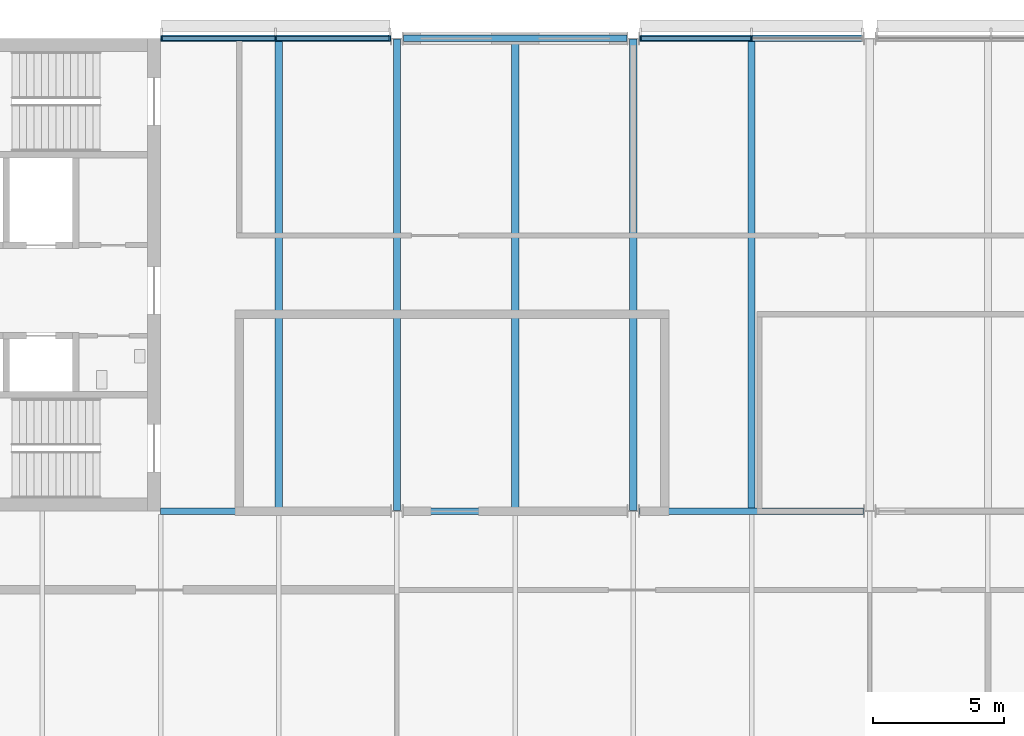
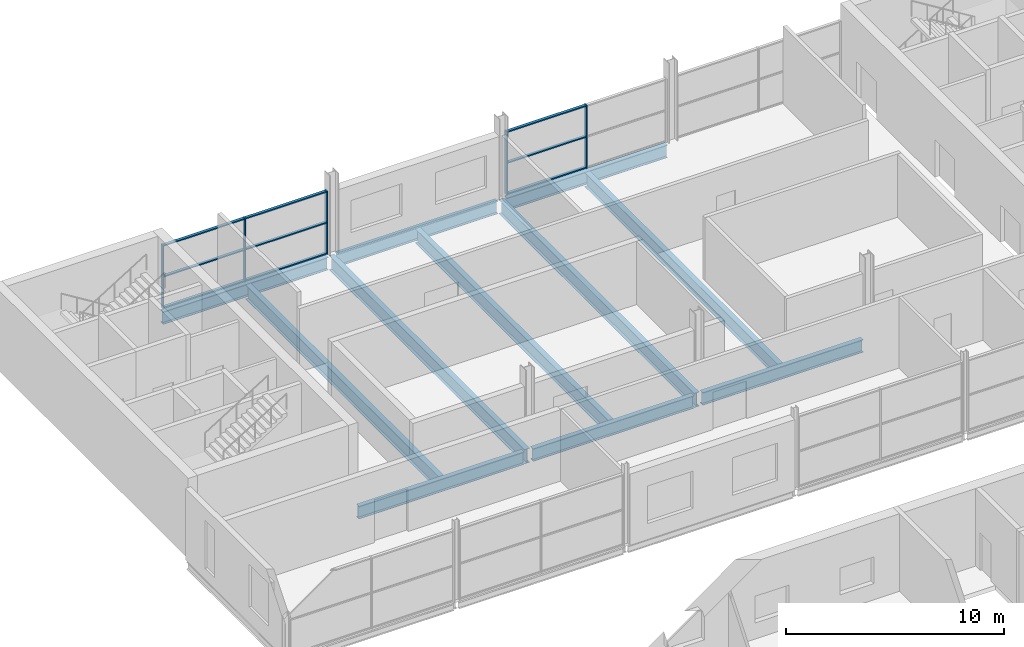
# One storey, part 64 of 138: 14 members, 11 beams, 2 elements without a shape of their own.
"""IFC4 building model written with IfcOpenShell, lengths in metres."""

from ifc_helpers import new_model, si_unit, direction, frame, origin, origin_2d, place, context, subcontext, project, spatial, rectangle, i_section, extrude, material, layer, layer_set, material_profile, profile_set, type_object, element, aggregate, save


model = new_model("IFC4")

# Units and contexts
model_context = context("Model", 3, precision=1e-05, world=origin(), true_north=direction((0.0, 1.0)))
body_context = subcontext(model_context, "Body", "Model", "MODEL_VIEW")
ifc_project = project(units=[si_unit("LENGTHUNIT", "METRE"), si_unit("AREAUNIT", "SQUARE_METRE"), si_unit("VOLUMEUNIT", "CUBIC_METRE"), si_unit("PLANEANGLEUNIT", "RADIAN"), si_unit("MASSUNIT", "GRAM", prefix="KILO")], contexts=[model_context])

# Site, building, storey
site_placement = place(None, origin())
site = spatial("IfcSite", under=ifc_project, at=site_placement, CompositionType="ELEMENT")
building_placement = place(site_placement, origin())
building = spatial("IfcBuilding", under=site, at=building_placement, Name="Corbel Yard City Hall", CompositionType="ELEMENT")
storey_placement = place(building_placement, frame((0.0, 0.0, 10.5)))
storey = spatial("IfcBuildingStorey", under=building, at=storey_placement, Name="L02", CompositionType="ELEMENT", Elevation=10.5)

# Beams
ifc_material_1 = material(Name="Steel Grade 350", Category="steel")
ifc_material_profile_1 = material_profile(ifc_material_1, i_section(OverallWidth=0.25, OverallDepth=0.7099609375, WebThickness=0.010009765625, FlangeThickness=0.02490234375, at=origin_2d()), Name="700WB150")
ifc_profile_set_1 = profile_set([ifc_material_profile_1], Name="Steel Grade 350")
beam_type_1 = type_object("IfcBeamType", Name="Edge beam 700WB150", PredefinedType="BEAM", material=ifc_profile_set_1)
beam_1_placement = place(storey_placement, frame((9.0, 117.0, -0.5048828125), z_axis=(1.0, 0.0, 0.0), x_axis=(0.0, 1.0, 0.0)))
element("IfcBeam", 1, at=beam_1_placement, inside=storey, type_object=beam_type_1, Name="Edge beam 700WB150 EB5 L02floor", PredefinedType="BEAM", context=body_context, shape_type="SweptSolid", body=[
    extrude(i_section(OverallWidth=0.25, OverallDepth=0.7099609375, WebThickness=0.010009765625, FlangeThickness=0.02490234375, at=origin_2d()), origin(), (0.0, 0.0, 1.0), 8.760009765625),
])
for number, where, z_axis, x_axis, name in (
    (2, (18.239990234375, 117.0, -0.5048828125), (1.0, 0.0, 0.0), (0.0, 1.0, 0.0), "Edge beam 700WB150 EB5 L02floor"),
    (3, (27.239990234375, 117.0, -0.5048828125), (1.0, 0.0, 0.0), (0.0, 1.0, 0.0), "Edge beam 700WB150 EB5 L02floor"),
):
    element("IfcBeam", number, at=place(storey_placement, frame(where, z_axis=z_axis, x_axis=x_axis)), inside=storey, type_object=beam_type_1, Name=name, PredefinedType="BEAM", context=body_context, shape_type="SweptSolid", body=[
        extrude(i_section(OverallWidth=0.25, OverallDepth=0.7099609375, WebThickness=0.010009765625, FlangeThickness=0.02490234375, at=origin_2d()), origin(), (0.0, 0.0, 1.0), 8.52001953125),
    ])
ifc_material_profile_2 = material_profile(ifc_material_1, i_section(OverallWidth=0.25, OverallDepth=0.7099609375, WebThickness=0.010009765625, FlangeThickness=0.02490234375, at=origin_2d()), Name="700WB150")
ifc_profile_set_2 = profile_set([ifc_material_profile_2], Name="Steel Grade 350")
beam_type_2 = type_object("IfcBeamType", Name="Girder 700WB150", PredefinedType="BEAM", material=ifc_profile_set_2)
beam_2_placement = place(storey_placement, frame((9.0, 99.0, -0.5048828125), z_axis=(1.0, 0.0, 0.0), x_axis=(0.0, 1.0, 0.0)))
element("IfcBeam", 4, at=beam_2_placement, inside=storey, type_object=beam_type_2, Name="Girder 700WB150 GB5 L02floor", PredefinedType="BEAM", context=body_context, shape_type="SweptSolid", body=[
    extrude(i_section(OverallWidth=0.25, OverallDepth=0.7099609375, WebThickness=0.010009765625, FlangeThickness=0.02490234375, at=origin_2d()), origin(), (0.0, 0.0, 1.0), 8.760009765625),
])
for number, where, z_axis, x_axis, name in (
    (5, (18.239990234375, 99.0, -0.5048828125), (1.0, 0.0, 0.0), (0.0, 1.0, 0.0), "Girder 700WB150 GB5 L02floor"),
    (6, (27.239990234375, 99.0, -0.5048828125), (1.0, 0.0, 0.0), (0.0, 1.0, 0.0), "Girder 700WB150 GB5 L02floor"),
):
    element("IfcBeam", number, at=place(storey_placement, frame(where, z_axis=z_axis, x_axis=x_axis)), inside=storey, type_object=beam_type_2, Name=name, PredefinedType="BEAM", context=body_context, shape_type="SweptSolid", body=[
        extrude(i_section(OverallWidth=0.25, OverallDepth=0.7099609375, WebThickness=0.010009765625, FlangeThickness=0.02490234375, at=origin_2d()), origin(), (0.0, 0.0, 1.0), 8.52001953125),
    ])
ifc_material_profile_3 = material_profile(ifc_material_1, i_section(OverallWidth=0.27490234375, OverallDepth=0.800048828125, WebThickness=0.010009765625, FlangeThickness=0.02001953125, at=origin_2d()), Name="800WB146")
ifc_profile_set_3 = profile_set([ifc_material_profile_3], Name="Steel Grade 350")
beam_type_3 = type_object("IfcBeamType", Name="Long-span beam 800WB146", PredefinedType="BEAM", material=ifc_profile_set_3)
for number, where, z_axis, x_axis, name in (
    (7, (18.0, 99.02001953125, -0.550048828125), (0.0, 1.0, 0.0), (-1.0, 0.0, 0.0), "Long-span beam 800WB146 SB8 L02floor"),
    (8, (27.0, 99.02001953125, -0.550048828125), (0.0, 1.0, 0.0), (-1.0, 0.0, 0.0), "Long-span beam 800WB146 SB8 L02floor"),
):
    element("IfcBeam", number, at=place(storey_placement, frame(where, z_axis=z_axis, x_axis=x_axis)), inside=storey, type_object=beam_type_3, Name=name, PredefinedType="BEAM", context=body_context, shape_type="SweptSolid", body=[
        extrude(i_section(OverallWidth=0.27490234375, OverallDepth=0.800048828125, WebThickness=0.010009765625, FlangeThickness=0.02001953125, at=origin_2d()), origin(), (0.0, 0.0, 1.0), 17.9599609375),
    ])
ifc_material_profile_4 = material_profile(ifc_material_1, i_section(OverallWidth=0.27490234375, OverallDepth=0.800048828125, WebThickness=0.010009765625, FlangeThickness=0.02001953125, at=origin_2d()), Name="800WB146")
ifc_profile_set_4 = profile_set([ifc_material_profile_4], Name="Steel Grade 350")
beam_type_4 = type_object("IfcBeamType", Name="Long-span secondary beam 800WB146", PredefinedType="JOIST", material=ifc_profile_set_4)
for number, where, z_axis, x_axis, name in (
    (9, (13.5, 99.125, -0.550048828125), (0.0, 1.0, 0.0), (-1.0, 0.0, 0.0), "Long-span secondary beam 800WB146 SB7 L02floor"),
    (10, (22.5, 99.125, -0.550048828125), (0.0, 1.0, 0.0), (-1.0, 0.0, 0.0), "Long-span secondary beam 800WB146 SB7 L02floor"),
    (11, (31.5, 99.125, -0.550048828125), (0.0, 1.0, 0.0), (-1.0, 0.0, 0.0), "Long-span secondary beam 800WB146 SB7 L02floor"),
):
    element("IfcBeam", number, at=place(storey_placement, frame(where, z_axis=z_axis, x_axis=x_axis)), inside=storey, type_object=beam_type_4, Name=name, PredefinedType="JOIST", context=body_context, shape_type="SweptSolid", body=[
        extrude(i_section(OverallWidth=0.27490234375, OverallDepth=0.800048828125, WebThickness=0.010009765625, FlangeThickness=0.02001953125, at=origin_2d()), origin(), (0.0, 0.0, 1.0), 17.75),
    ])

# Curtain wall, members
ifc_material_2 = material(Name="Aluminium extrusion", Category="aluminium")
ifc_layer = layer(ifc_material_2, 0.199951171875)
ifc_layer_set = layer_set([ifc_layer], Name="Aluminium extrusion")
curtain_wall_type = type_object("IfcCurtainWallType", Name="CW1", PredefinedType="USERDEFINED", material=ifc_layer_set)
curtain_wall_1_placement = place(storey_placement, origin())
curtain_wall_1 = element("IfcCurtainWall", 12, at=curtain_wall_1_placement, inside=storey, type_object=curtain_wall_type, Name="Curtain wall CW1 L02", ObjectType="CURTAIN WALL", PredefinedType="USERDEFINED")
ifc_material_profile_5 = material_profile(ifc_material_2, rectangle(XDim=0.199951171875, YDim=0.06494140625, at=origin_2d()), Name="200x65")
ifc_profile_set_5 = profile_set([ifc_material_profile_5], Name="Aluminium extrusion")
member_type_1 = type_object("IfcMemberType", Name="ML1", PredefinedType="MULLION", material=ifc_profile_set_5)
member_1_placement = place(storey_placement, frame((9.032470703125, 117.0, 0.0), z_axis=(0.0, 0.0, 1.0), x_axis=(0.0, 1.0, 0.0)))
member_1 = element("IfcMember", 13, at=member_1_placement, type_object=member_type_1, Name="CW1 mullion 1", PredefinedType="MULLION", context=body_context, shape_type="SweptSolid", body=[
    extrude(rectangle(XDim=0.199951171875, YDim=0.06494140625, at=origin_2d()), origin(), (0.0, 0.0, 1.0), 3.5400390625),
])
member_2_placement = place(storey_placement, frame((13.3798828125, 117.0, 0.0), z_axis=(0.0, 0.0, 1.0), x_axis=(0.0, 1.0, 0.0)))
member_2 = element("IfcMember", 14, at=member_2_placement, type_object=member_type_1, Name="CW1 mullion 2", PredefinedType="MULLION", context=body_context, shape_type="SweptSolid", body=[
    extrude(rectangle(XDim=0.199951171875, YDim=0.06494140625, at=origin_2d()), origin(), (0.0, 0.0, 1.0), 3.5400390625),
])
member_3_placement = place(storey_placement, frame((17.7275390625, 117.0, 0.0), z_axis=(0.0, 0.0, 1.0), x_axis=(0.0, 1.0, 0.0)))
member_3 = element("IfcMember", 15, at=member_3_placement, type_object=member_type_1, Name="CW1 mullion 3", PredefinedType="MULLION", context=body_context, shape_type="SweptSolid", body=[
    extrude(rectangle(XDim=0.199951171875, YDim=0.06494140625, at=origin_2d()), origin(), (0.0, 0.0, 1.0), 3.5400390625),
])

curtain_wall_2_placement = place(storey_placement, origin())
curtain_wall_2 = element("IfcCurtainWall", 16, at=curtain_wall_2_placement, inside=storey, type_object=curtain_wall_type, Name="Curtain wall CW1 L02", ObjectType="CURTAIN WALL", PredefinedType="USERDEFINED")
member_4_placement = place(storey_placement, frame((27.2724609375, 117.0, 0.0), z_axis=(0.0, 0.0, 1.0), x_axis=(0.0, 1.0, 0.0)))
member_4 = element("IfcMember", 17, at=member_4_placement, type_object=member_type_1, Name="CW1 mullion 1", PredefinedType="MULLION", context=body_context, shape_type="SweptSolid", body=[
    extrude(rectangle(XDim=0.199951171875, YDim=0.06494140625, at=origin_2d()), origin(), (0.0, 0.0, 1.0), 3.5400390625),
])
member_5_placement = place(storey_placement, frame((31.5, 117.0, 0.0), z_axis=(0.0, 0.0, 1.0), x_axis=(0.0, 1.0, 0.0)))
member_5 = element("IfcMember", 18, at=member_5_placement, type_object=member_type_1, Name="CW1 mullion 2", PredefinedType="MULLION", context=body_context, shape_type="SweptSolid", body=[
    extrude(rectangle(XDim=0.199951171875, YDim=0.06494140625, at=origin_2d()), origin(), (0.0, 0.0, 1.0), 3.5400390625),
])

# Member
ifc_material_profile_6 = material_profile(ifc_material_2, rectangle(XDim=0.14990234375, YDim=0.06494140625, at=origin_2d()), Name="150x65")
ifc_profile_set_6 = profile_set([ifc_material_profile_6], Name="Aluminium extrusion")
member_type_2 = type_object("IfcMemberType", Name="TR1", PredefinedType="USERDEFINED", material=ifc_profile_set_6)
member_6_placement = place(storey_placement, frame((9.06494140625, 117.0, 0.032470703125), z_axis=(1.0, 0.0, 0.0), x_axis=(0.0, 1.0, 0.0)))
member_6 = element("IfcMember", 19, at=member_6_placement, type_object=member_type_2, Name="CW1 transom 1.1", ObjectType="TRANSOM", PredefinedType="USERDEFINED", context=body_context, shape_type="SweptSolid", body=[
    extrude(rectangle(XDim=0.14990234375, YDim=0.06494140625, at=origin_2d()), origin(), (0.0, 0.0, 1.0), 4.282470703125),
])

member_7_placement = place(storey_placement, frame((9.06494140625, 117.0, 1.77001953125), z_axis=(1.0, 0.0, 0.0), x_axis=(0.0, 1.0, 0.0)))
member_7 = element("IfcMember", 20, at=member_7_placement, type_object=member_type_2, Name="CW1 transom 1.2", ObjectType="TRANSOM", PredefinedType="USERDEFINED", context=body_context, shape_type="SweptSolid", body=[
    extrude(rectangle(XDim=0.14990234375, YDim=0.06494140625, at=origin_2d()), origin(), (0.0, 0.0, 1.0), 4.282470703125),
])

member_8_placement = place(storey_placement, frame((9.06494140625, 117.0, 3.507568359375), z_axis=(1.0, 0.0, 0.0), x_axis=(0.0, 1.0, 0.0)))
member_8 = element("IfcMember", 21, at=member_8_placement, type_object=member_type_2, Name="CW1 transom 1.3", ObjectType="TRANSOM", PredefinedType="USERDEFINED", context=body_context, shape_type="SweptSolid", body=[
    extrude(rectangle(XDim=0.14990234375, YDim=0.06494140625, at=origin_2d()), origin(), (0.0, 0.0, 1.0), 4.282470703125),
])

member_9_placement = place(storey_placement, frame((13.41259765625, 117.0, 0.032470703125), z_axis=(1.0, 0.0, 0.0), x_axis=(0.0, 1.0, 0.0)))
member_9 = element("IfcMember", 22, at=member_9_placement, type_object=member_type_2, Name="CW1 transom 2.1", ObjectType="TRANSOM", PredefinedType="USERDEFINED", context=body_context, shape_type="SweptSolid", body=[
    extrude(rectangle(XDim=0.14990234375, YDim=0.06494140625, at=origin_2d()), origin(), (0.0, 0.0, 1.0), 4.282470703125),
])

member_10_placement = place(storey_placement, frame((13.41259765625, 117.0, 1.77001953125), z_axis=(1.0, 0.0, 0.0), x_axis=(0.0, 1.0, 0.0)))
member_10 = element("IfcMember", 23, at=member_10_placement, type_object=member_type_2, Name="CW1 transom 2.2", ObjectType="TRANSOM", PredefinedType="USERDEFINED", context=body_context, shape_type="SweptSolid", body=[
    extrude(rectangle(XDim=0.14990234375, YDim=0.06494140625, at=origin_2d()), origin(), (0.0, 0.0, 1.0), 4.282470703125),
])

member_11_placement = place(storey_placement, frame((13.41259765625, 117.0, 3.507568359375), z_axis=(1.0, 0.0, 0.0), x_axis=(0.0, 1.0, 0.0)))
member_11 = element("IfcMember", 24, at=member_11_placement, type_object=member_type_2, Name="CW1 transom 2.3", ObjectType="TRANSOM", PredefinedType="USERDEFINED", context=body_context, shape_type="SweptSolid", body=[
    extrude(rectangle(XDim=0.14990234375, YDim=0.06494140625, at=origin_2d()), origin(), (0.0, 0.0, 1.0), 4.282470703125),
])

aggregate(curtain_wall_1, [member_1, member_2, member_3, member_6, member_7, member_8, member_9, member_10, member_11])

member_12_placement = place(storey_placement, frame((27.304931640625, 117.0, 0.032470703125), z_axis=(1.0, 0.0, 0.0), x_axis=(0.0, 1.0, 0.0)))
member_12 = element("IfcMember", 25, at=member_12_placement, type_object=member_type_2, Name="CW1 transom 1.1", ObjectType="TRANSOM", PredefinedType="USERDEFINED", context=body_context, shape_type="SweptSolid", body=[
    extrude(rectangle(XDim=0.14990234375, YDim=0.06494140625, at=origin_2d()), origin(), (0.0, 0.0, 1.0), 4.16259765625),
])

member_13_placement = place(storey_placement, frame((27.304931640625, 117.0, 1.77001953125), z_axis=(1.0, 0.0, 0.0), x_axis=(0.0, 1.0, 0.0)))
member_13 = element("IfcMember", 26, at=member_13_placement, type_object=member_type_2, Name="CW1 transom 1.2", ObjectType="TRANSOM", PredefinedType="USERDEFINED", context=body_context, shape_type="SweptSolid", body=[
    extrude(rectangle(XDim=0.14990234375, YDim=0.06494140625, at=origin_2d()), origin(), (0.0, 0.0, 1.0), 4.16259765625),
])

member_14_placement = place(storey_placement, frame((27.304931640625, 117.0, 3.507568359375), z_axis=(1.0, 0.0, 0.0), x_axis=(0.0, 1.0, 0.0)))
member_14 = element("IfcMember", 27, at=member_14_placement, type_object=member_type_2, Name="CW1 transom 1.3", ObjectType="TRANSOM", PredefinedType="USERDEFINED", context=body_context, shape_type="SweptSolid", body=[
    extrude(rectangle(XDim=0.14990234375, YDim=0.06494140625, at=origin_2d()), origin(), (0.0, 0.0, 1.0), 4.16259765625),
])

aggregate(curtain_wall_2, [member_4, member_5, member_12, member_13, member_14])

save(model, "model.ifc")
